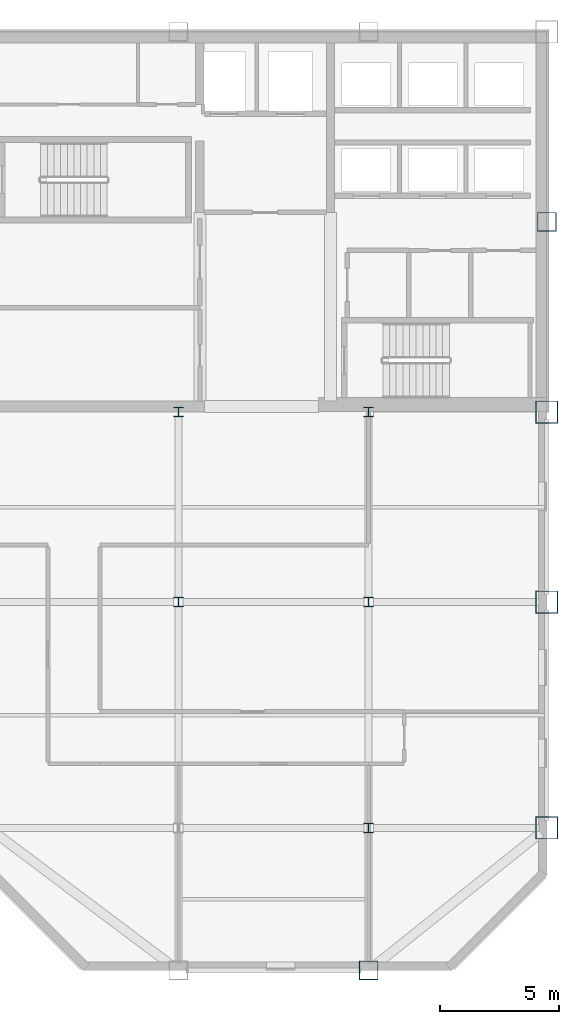
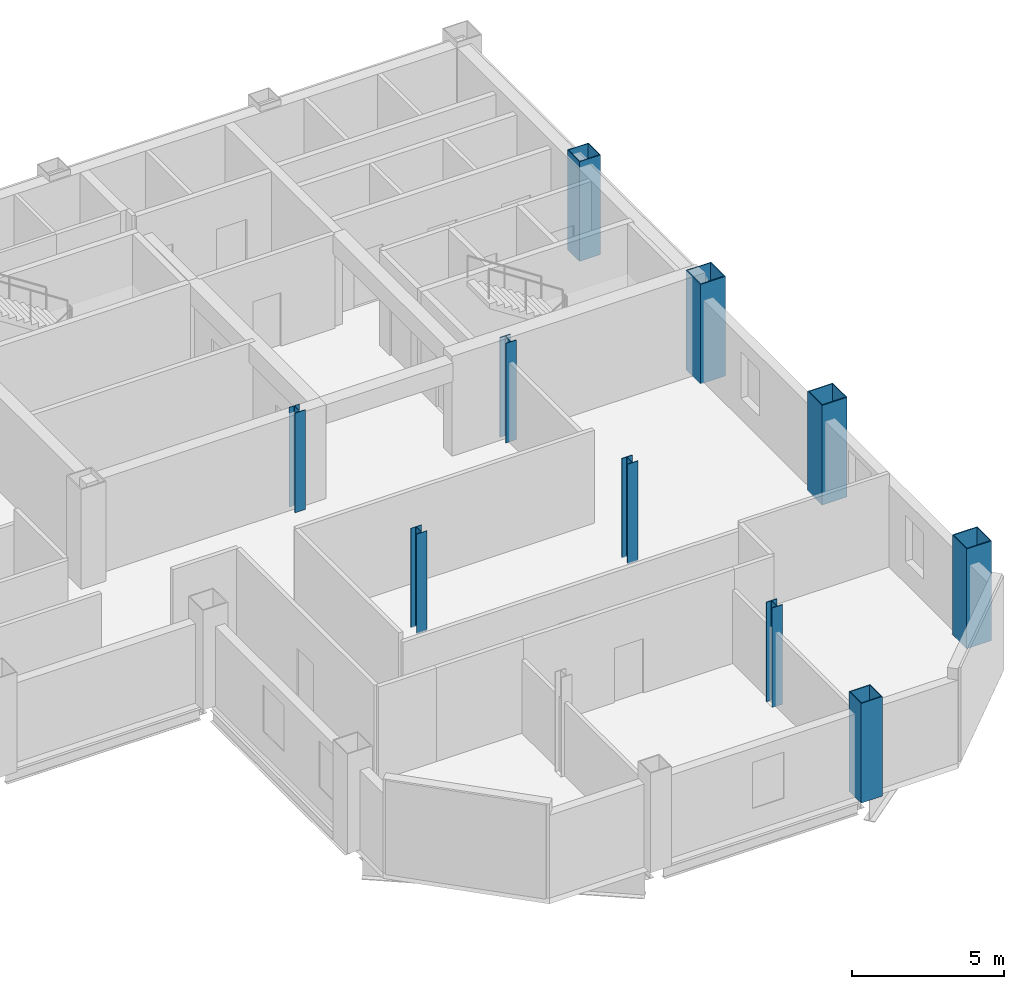
# One storey, part 2 of 10: 10 columns.
"""IFC4 building model written with IfcOpenShell, lengths in metres."""

import ifcopenshell
import ifcopenshell.guid

model = None  # the IFC model being written
_history = None  # IfcOwnerHistory: only IFC2X3 demands one
_inside = {}  # id of a spatial element -> (the spatial element, [elements in it])
_under = {}  # id of a project, library or spatial element -> (it, [spatial elements below it])
_declared = {}  # id of a project -> (the project, [libraries it declares])
_typed = {}  # id of a type object -> (the type object, [elements of that type])
_made_of = {}  # id of a material, layer set ... -> (it, [elements and type objects made of it])


def new_model(schema):
    """Start an empty IFC model of exactly this schema.

    Asked for "IFC4X3", IfcOpenShell would pick the latest addendum, in which some entities
    have other attributes; the version numbers below select the first issue.
    IFC2X3 requires an IfcOwnerHistory on every rooted entity: one is made here for all.
    """
    global model, _history
    if schema == "IFC4X3":
        model = ifcopenshell.file(schema_version=(4, 3, 0, 0))
    else:
        model = ifcopenshell.file(schema=schema)
    _inside.clear()
    _under.clear()
    _declared.clear()
    _typed.clear()
    _made_of.clear()
    _history = None
    if model.schema == "IFC2X3":
        org = make("IfcOrganization", Name="unknown")
        user = make(
            "IfcPersonAndOrganization",
            ThePerson=make("IfcPerson", FamilyName="unknown"),
            TheOrganization=org,
        )
        app = make(
            "IfcApplication",
            ApplicationDeveloper=org,
            Version="unknown",
            ApplicationFullName="unknown",
            ApplicationIdentifier="unknown",
        )
        _history = make(
            "IfcOwnerHistory",
            OwningUser=user,
            OwningApplication=app,
            ChangeAction="ADDED",
            CreationDate=0,
        )
    return model


def make(cls, **values):
    """One entity of the class cls with the attributes given. An attribute that is None is left unset."""
    return model.create_entity(
        cls, **{name: value for name, value in values.items() if value is not None}
    )


def rooted(cls, **values):
    """An entity with a GlobalId (a new one), such as an element, a storey or a relation."""
    return make(cls, GlobalId=ifcopenshell.guid.new(), OwnerHistory=_history, **values)


def si_unit(unit_type, name, prefix=None):
    """IfcSIUnit, for example si_unit("LENGTHUNIT", "METRE", prefix="MILLI")."""
    return make("IfcSIUnit", UnitType=unit_type, Prefix=prefix, Name=name)


def assignment(units):
    """IfcUnitAssignment: the units of a project."""
    return None if units is None else make("IfcUnitAssignment", Units=units)


def point(xyz):
    """IfcCartesianPoint."""
    return None if xyz is None else make("IfcCartesianPoint", Coordinates=xyz)


def direction(xyz):
    """IfcDirection."""
    return None if xyz is None else make("IfcDirection", DirectionRatios=xyz)


def frame(location, z_axis=None, x_axis=None):
    """IfcAxis2Placement3D, a coordinate frame: its origin and axes. An axis left out is left unset."""
    return make(
        "IfcAxis2Placement3D",
        Location=point(location),
        Axis=direction(z_axis),
        RefDirection=direction(x_axis),
    )


def frame_2d(location, x_axis=None):
    """IfcAxis2Placement2D, a coordinate frame in the plane: its origin and x axis."""
    return make(
        "IfcAxis2Placement2D", Location=point(location), RefDirection=direction(x_axis)
    )


def origin():
    """The frame at (0, 0, 0) with its axes left unset."""
    return frame((0.0, 0.0, 0.0))


def origin_2d():
    """The frame at (0, 0) in the plane with its x axis left unset."""
    return frame_2d((0.0, 0.0))


def place(relative_to, where):
    """IfcLocalPlacement: puts the frame where relative to a parent placement (None: the world)."""
    return make(
        "IfcLocalPlacement", PlacementRelTo=relative_to, RelativePlacement=where
    )


def context(
    kind, dimensions, precision=None, world=None, true_north=None, identifier=None
):
    """IfcGeometricRepresentationContext, for example the 3D "Model" context."""
    return make(
        "IfcGeometricRepresentationContext",
        ContextIdentifier=identifier,
        ContextType=kind,
        CoordinateSpaceDimension=dimensions,
        Precision=precision,
        WorldCoordinateSystem=world,
        TrueNorth=true_north,
    )


def subcontext(parent, identifier, kind, view, scale=None):
    """IfcGeometricRepresentationSubContext, for example "Body" below "Model"."""
    return make(
        "IfcGeometricRepresentationSubContext",
        ContextIdentifier=identifier,
        ContextType=kind,
        ParentContext=parent,
        TargetScale=scale,
        TargetView=view,
    )


def project(units=None, contexts=None):
    """IfcProject with its units and contexts."""
    return rooted(
        "IfcProject",
        Name="project",
        RepresentationContexts=contexts,
        UnitsInContext=assignment(units),
    )


def spatial(cls, under=None, at=None, **own):
    """A site, building, storey or space (cls), placed at a placement, below another one or the project."""
    s = rooted(cls, ObjectPlacement=at, **own)
    if under is not None:
        _under.setdefault(under.id(), (under, []))[1].append(s)
    return s


def profile(cls, at=None, kind="AREA", **sizes):
    """A parametric profile (cls). Its sizes go by their IFC names, for example OverallWidth=200.0."""
    return make(cls, ProfileType=kind, Position=at, **sizes)


def hollow_rectangle(**sizes):
    """IfcRectangleHollowProfileDef."""
    return profile("IfcRectangleHollowProfileDef", **sizes)


def i_section(**sizes):
    """IfcIShapeProfileDef."""
    return profile("IfcIShapeProfileDef", **sizes)


def extrude(swept, where, along, depth):
    """IfcExtrudedAreaSolid: the profile swept, set in the frame where, extruded along a direction by depth."""
    return make(
        "IfcExtrudedAreaSolid",
        SweptArea=swept,
        Position=where,
        ExtrudedDirection=direction(along),
        Depth=depth,
    )


def shape(context_of_items, identifier, shape_type, items):
    """IfcShapeRepresentation: the items that make up one representation, for example the "Body"."""
    return make(
        "IfcShapeRepresentation",
        ContextOfItems=context_of_items,
        RepresentationIdentifier=identifier,
        RepresentationType=shape_type,
        Items=items,
    )


def material(Name=None, Category=None):
    """IfcMaterial."""
    return make("IfcMaterial", Name=Name, Category=Category)


def material_profile(
    of_material, cross_section, Name=None, Category=None, Priority=None
):
    """IfcMaterialProfile: a cross section and its material."""
    return make(
        "IfcMaterialProfile",
        Name=Name,
        Material=of_material,
        Profile=cross_section,
        Priority=Priority,
        Category=Category,
    )


def profile_set(profiles, Name=None, composite=None):
    """IfcMaterialProfileSet."""
    return make(
        "IfcMaterialProfileSet",
        Name=Name,
        MaterialProfiles=profiles,
        CompositeProfile=composite,
    )


def made_of(thing, what):
    """Note that an element or type object is made of a material, layer set ...; save() writes the relation."""
    if what is not None:
        _made_of.setdefault(what.id(), (what, []))[1].append(thing)
    return thing


def type_object(cls, material=None, **own):
    """A type object (cls), such as IfcWallType, which elements share."""
    return made_of(rooted(cls, **own), material)


def element(
    cls,
    number,
    at=None,
    inside=None,
    cuts=None,
    type_object=None,
    material=None,
    context=None,
    identifier="Body",
    shape_type=None,
    held_by="IfcProductDefinitionShape",
    body=None,
    shapes=None,
    **own,
):
    """One element of the class cls, such as IfcWall. Its Tag is "e" and its number.

    at: its placement. inside: the storey or other place that contains it. cuts: it is an
    opening in that element (IfcRelVoidsElement). A single representation is given by context,
    identifier, shape_type and body (its items); several are given by shapes. held_by: the class
    of the entity that holds the representations. save() writes the other relations.
    """
    e = rooted(cls, Tag="e%d" % number, ObjectPlacement=at, **own)
    if body is not None:
        shapes = [shape(context, identifier, shape_type, body)]
    if shapes is not None:
        e.Representation = make(held_by, Representations=shapes)
    if inside is not None:
        _inside.setdefault(inside.id(), (inside, []))[1].append(e)
    if cuts is not None:
        rooted(
            "IfcRelVoidsElement", RelatingBuildingElement=cuts, RelatedOpeningElement=e
        )
    if type_object is not None:
        _typed.setdefault(type_object.id(), (type_object, []))[1].append(e)
    return made_of(e, material)


def aggregate(whole, parts):
    """IfcRelAggregates: a whole, such as a stair, and the parts it consists of."""
    return rooted("IfcRelAggregates", RelatingObject=whole, RelatedObjects=parts)


def save(model, path):
    """Write the relations noted so far, then the file.

    IfcRelAggregates (storeys below a building ...), IfcRelContainedInSpatialStructure (elements
    in a storey), IfcRelDefinesByType, IfcRelAssociatesMaterial and IfcRelDeclares: one each for
    every whole, place, type object, material and project.
    """
    for whole, parts in _under.values():
        aggregate(whole, parts)
    for where, things in _inside.values():
        rooted(
            "IfcRelContainedInSpatialStructure",
            RelatedElements=things,
            RelatingStructure=where,
        )
    for kind, things in _typed.values():
        rooted("IfcRelDefinesByType", RelatedObjects=things, RelatingType=kind)
    for what, things in _made_of.values():
        rooted("IfcRelAssociatesMaterial", RelatedObjects=things, RelatingMaterial=what)
    for by, libraries in _declared.values():
        rooted("IfcRelDeclares", RelatingContext=by, RelatedDefinitions=libraries)
    model.write(path)


model = new_model("IFC4")

# Units and contexts
model_context = context("Model", 3, precision=1e-05, world=origin(), true_north=direction((0.0, 1.0)))
body_context = subcontext(model_context, "Body", "Model", "MODEL_VIEW")
ifc_project = project(units=[si_unit("LENGTHUNIT", "METRE"), si_unit("AREAUNIT", "SQUARE_METRE"), si_unit("VOLUMEUNIT", "CUBIC_METRE"), si_unit("PLANEANGLEUNIT", "RADIAN"), si_unit("MASSUNIT", "GRAM", prefix="KILO")], contexts=[model_context])

# Site, building, storey
site_placement = place(None, origin())
site = spatial("IfcSite", under=ifc_project, at=site_placement, CompositionType="ELEMENT")
building_placement = place(site_placement, origin())
building = spatial("IfcBuilding", under=site, at=building_placement, Name="Qianrong Seaharbour Tower", CompositionType="ELEMENT")
storey_placement = place(building_placement, frame((0.0, 0.0, 225.800048828125)))
storey = spatial("IfcBuildingStorey", under=building, at=storey_placement, Name="L54", CompositionType="ELEMENT", Elevation=225.800048828125)

# Columns
ifc_material = material(Name="Structural steel SN490B", Category="steel")
ifc_material_profile_1 = material_profile(ifc_material, hollow_rectangle(XDim=0.949951171875, YDim=0.949951171875, WallThickness=0.035888671875, at=origin_2d()), Name="BOX950x950x36")
ifc_profile_set_1 = profile_set([ifc_material_profile_1], Name="Structural steel SN490B")
column_type_1 = type_object("IfcColumnType", Name="COL-CFT-950", PredefinedType="COLUMN", material=ifc_profile_set_1)
for number, where, z_axis, x_axis, name in (
    (1, (64.0, 18.5, 0.0), (0.0, 0.0, 1.0), (1.0, 0.0, 0.0), "L54 Column MC-4 at G9/GD"),
    (2, (64.0, 28.0, 0.0), (0.0, 0.0, 1.0), (1.0, 0.0, 0.0), "L54 Column MC-4 at G9/GE"),
    (3, (64.0, 36.0, 0.0), (0.0, 0.0, 1.0), (1.0, 0.0, 0.0), "L54 Column MC-4 at G9/GF"),
):
    element("IfcColumn", number, at=place(storey_placement, frame(where, z_axis=z_axis, x_axis=x_axis)), inside=storey, type_object=column_type_1, Name=name, PredefinedType="COLUMN", context=body_context, shape_type="SweptSolid", body=[
        extrude(hollow_rectangle(XDim=0.949951171875, YDim=0.949951171875, WallThickness=0.035888671875, at=origin_2d()), origin(), (0.0, 0.0, 1.0), 4.0),
    ])
ifc_material_profile_2 = material_profile(ifc_material, i_section(OverallWidth=0.39990234375, OverallDepth=0.39990234375, WebThickness=0.012939453125, FlangeThickness=0.02099609375, FilletRadius=0.02197265625, at=origin_2d()), Name="H400x400x13x21")
ifc_profile_set_2 = profile_set([ifc_material_profile_2], Name="Structural steel SN490B")
column_type_2 = type_object("IfcColumnType", Name="COL-INT-H400", PredefinedType="COLUMN", material=ifc_profile_set_2)
for number, where, z_axis, x_axis, name in (
    (4, (48.5, 28.0, 0.0), (0.0, 0.0, 1.0), (1.0, 0.0, 0.0), "L54 Column IC-3 at G7/GE"),
    (5, (48.5, 36.0, 0.0), (0.0, 0.0, 1.0), (1.0, 0.0, 0.0), "L54 Column IC-3 at G7/GF"),
    (6, (56.5, 18.5, 0.0), (0.0, 0.0, 1.0), (1.0, 0.0, 0.0), "L54 Column IC-3 at G8/GD"),
    (7, (56.5, 28.0, 0.0), (0.0, 0.0, 1.0), (1.0, 0.0, 0.0), "L54 Column IC-3 at G8/GE"),
    (8, (56.5, 36.0, 0.0), (0.0, 0.0, 1.0), (1.0, 0.0, 0.0), "L54 Column IC-3 at G8/GF"),
):
    element("IfcColumn", number, at=place(storey_placement, frame(where, z_axis=z_axis, x_axis=x_axis)), inside=storey, type_object=column_type_2, Name=name, PredefinedType="COLUMN", context=body_context, shape_type="SweptSolid", body=[
        extrude(i_section(OverallWidth=0.39990234375, OverallDepth=0.39990234375, WebThickness=0.012939453125, FlangeThickness=0.02099609375, FilletRadius=0.02197265625, at=origin_2d()), origin(), (0.0, 0.0, 1.0), 4.0),
    ])
ifc_material_profile_3 = material_profile(ifc_material, hollow_rectangle(XDim=0.800048828125, YDim=0.800048828125, WallThickness=0.031982421875, at=origin_2d()), Name="BOX800x800x32")
ifc_profile_set_3 = profile_set([ifc_material_profile_3], Name="Structural steel SN490B")
column_type_3 = type_object("IfcColumnType", Name="COL-PER-800", PredefinedType="COLUMN", material=ifc_profile_set_3)
for number, where, z_axis, x_axis, name in (
    (9, (56.5, 12.5, 0.0), (0.0, 0.0, 1.0), (1.0, 0.0, 0.0), "L54 Column PC-3 at G8/GC"),
    (10, (64.0, 44.0, 0.0), (0.0, 0.0, 1.0), (1.0, 0.0, 0.0), "L54 Column PC-3 at G9/GG"),
):
    element("IfcColumn", number, at=place(storey_placement, frame(where, z_axis=z_axis, x_axis=x_axis)), inside=storey, type_object=column_type_3, Name=name, PredefinedType="COLUMN", context=body_context, shape_type="SweptSolid", body=[
        extrude(hollow_rectangle(XDim=0.800048828125, YDim=0.800048828125, WallThickness=0.031982421875, at=origin_2d()), origin(), (0.0, 0.0, 1.0), 4.0),
    ])

save(model, "model.ifc")
